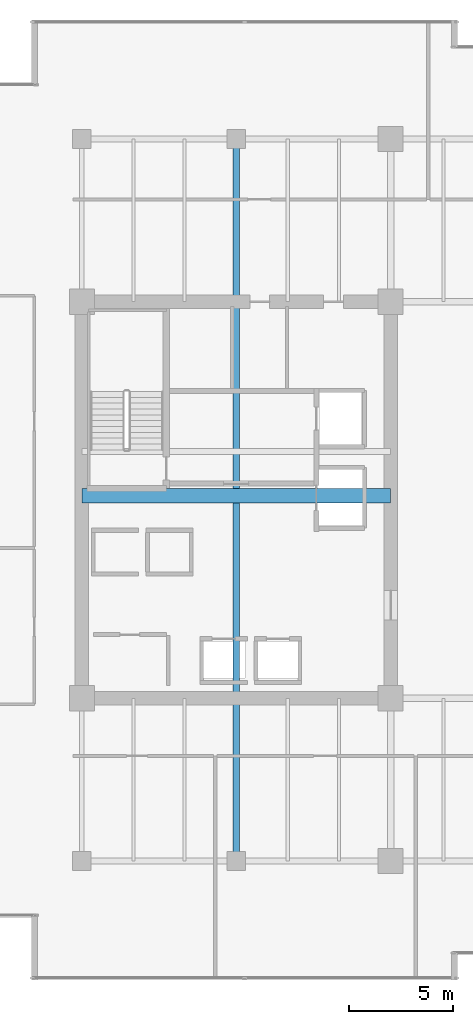
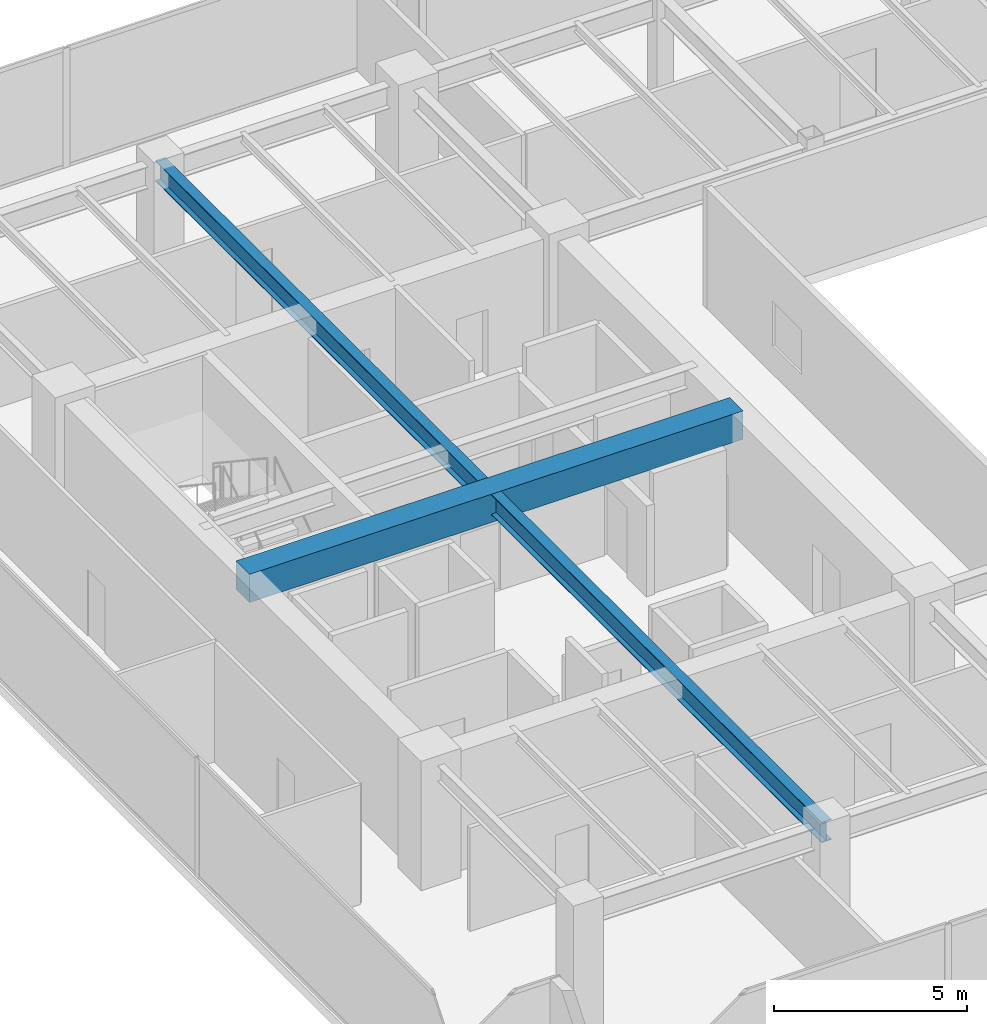
# One storey, part 7 of 30: 2 beams.
"""IFC4 building model written with IfcOpenShell, lengths in metres."""

from ifc_helpers import new_model, si_unit, direction, frame, origin, origin_2d, place, context, subcontext, project, spatial, rectangle, i_section, extrude, source, transform, mapped, material, material_profile, profile_set, type_object, type_shapes, element, save


model = new_model("IFC4")

# Units and contexts
model_context = context("Model", 3, precision=1e-05, world=origin(), true_north=direction((0.0, 1.0)))
body_context = subcontext(model_context, "Body", "Model", "MODEL_VIEW")
ifc_project = project(units=[si_unit("LENGTHUNIT", "METRE"), si_unit("AREAUNIT", "SQUARE_METRE"), si_unit("VOLUMEUNIT", "CUBIC_METRE"), si_unit("PLANEANGLEUNIT", "RADIAN"), si_unit("MASSUNIT", "GRAM", prefix="KILO")], contexts=[model_context])

# Site, building, storey
site_placement = place(None, origin())
site = spatial("IfcSite", under=ifc_project, at=site_placement, CompositionType="ELEMENT")
building_placement = place(site_placement, origin())
building = spatial("IfcBuilding", under=site, at=building_placement, Name="Haelvirn Gate Laboratories", CompositionType="ELEMENT")
storey_placement = place(building_placement, frame((0.0, 0.0, 125.60009765625)))
storey = spatial("IfcBuildingStorey", under=building, at=storey_placement, Name="L30", CompositionType="ELEMENT", Elevation=125.60009765625)

# Beams
ifc_material_1 = material(Name="Concrete C60/75", Category="concrete")
ifc_material_profile_1 = material_profile(ifc_material_1, rectangle(XDim=0.699951171875, YDim=0.89990234375, at=origin_2d()), Name="RCB-700x900")
ifc_profile_set_1 = profile_set([ifc_material_profile_1], Name="Concrete C60/75")
beam_type_1 = type_object("IfcBeamType", Name="BM-RCB-900", PredefinedType="LINTEL", material=ifc_profile_set_1)
shared_shape_1 = source(origin(), body_context, "Body", "SweptSolid", [
    extrude(rectangle(XDim=0.699951171875, YDim=0.89990234375, at=origin_2d()), origin(), (0.0, 0.0, 1.0), 14.800048828125),
])
type_shapes(beam_type_1, [shared_shape_1])
beam_1_placement = place(storey_placement, frame((7.39990234375, 24.5, 3.33984375), z_axis=(1.0, 0.0, 0.0), x_axis=(0.0, 1.0, 0.0)))
element("IfcBeam", 1, at=beam_1_placement, inside=storey, type_object=beam_type_1, Name="L30 West Core Coupling Beam", PredefinedType="LINTEL", context=body_context, shape_type="MappedRepresentation", body=[
    mapped(shared_shape_1, transform((0.0, 0.0, 0.0), scale=1.0)),
])
ifc_material_2 = material(Name="Steel SM355", Category="steel")
ifc_material_profile_2 = material_profile(ifc_material_2, i_section(OverallWidth=0.300048828125, OverallDepth=0.64990234375, WebThickness=0.012939453125, FlangeThickness=0.02197265625, at=origin_2d()), Name="H-650x300x13x22")
ifc_profile_set_2 = profile_set([ifc_material_profile_2], Name="Steel SM355")
beam_type_2 = type_object("IfcBeamType", Name="BM-G-650", PredefinedType="BEAM", material=ifc_profile_set_2)
shared_shape_2 = source(origin(), body_context, "Body", "SweptSolid", [
    extrude(i_section(OverallWidth=0.300048828125, OverallDepth=0.64990234375, WebThickness=0.012939453125, FlangeThickness=0.02197265625, at=origin_2d()), origin(), (0.0, 0.0, 1.0), 34.60009765625),
])
type_shapes(beam_type_2, [shared_shape_2])
beam_2_placement = place(storey_placement, frame((14.800048828125, 7.0, 3.46484375), z_axis=(0.0, 1.0, 0.0), x_axis=(-1.0, 0.0, 0.0)))
element("IfcBeam", 2, at=beam_2_placement, inside=storey, type_object=beam_type_2, Name="L30 Frame Girder X14.8 (7.0-41.6)", PredefinedType="BEAM", context=body_context, shape_type="MappedRepresentation", body=[
    mapped(shared_shape_2, transform((0.0, 0.0, 0.0), scale=1.0)),
])

save(model, "model.ifc")
